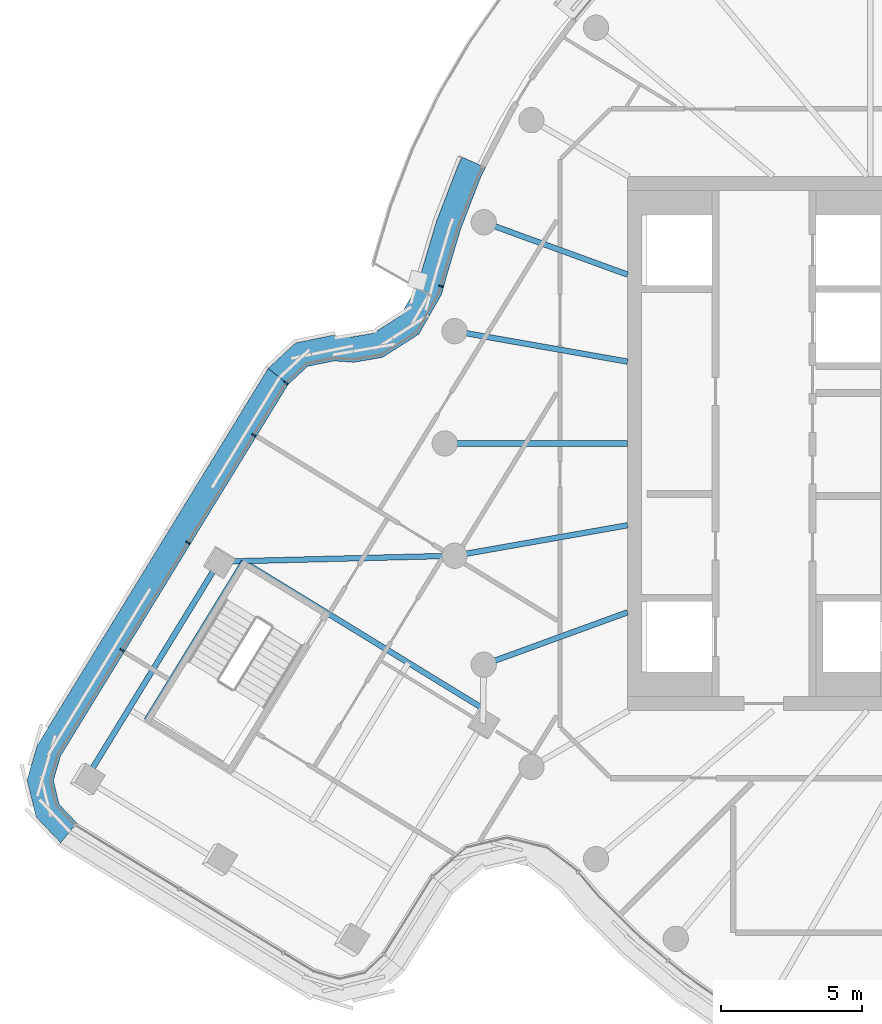
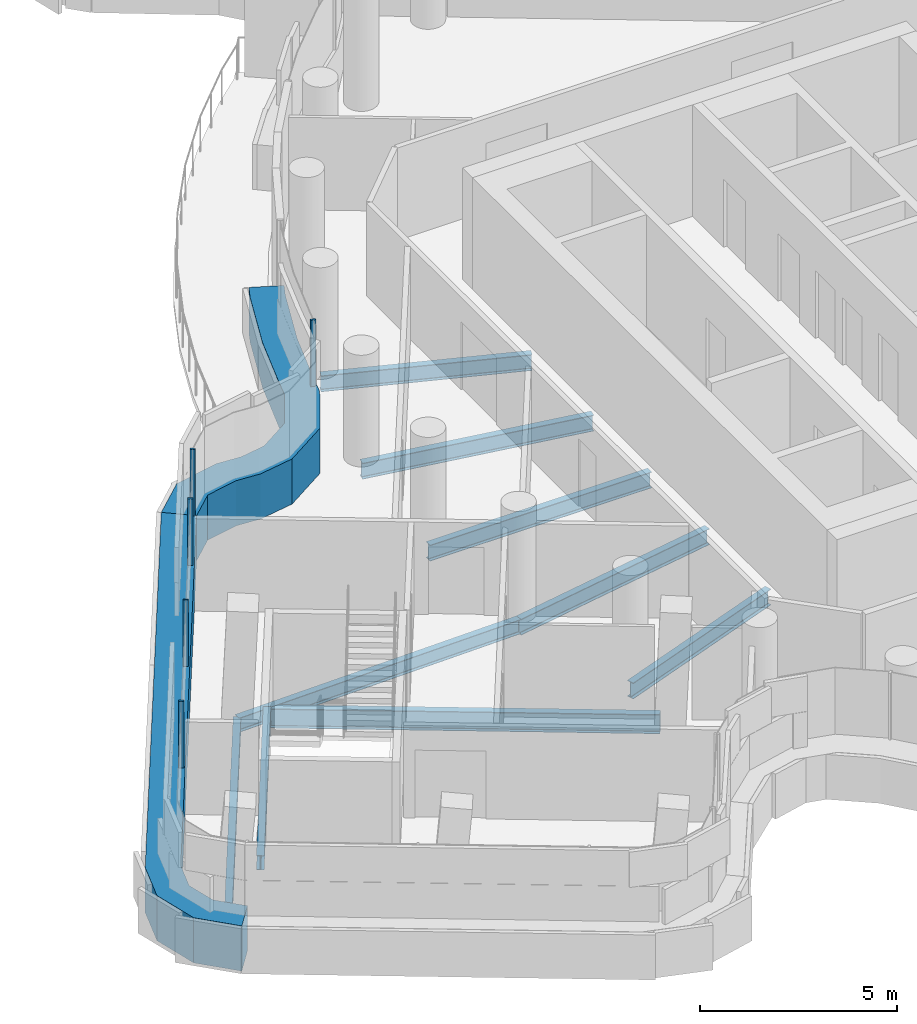
# One storey, part 4 of 27: 9 beams, 7 members, 2 elements without a shape of their own.
"""IFC4 building model written with IfcOpenShell, lengths in metres."""

from ifc_helpers import new_model, si_unit, direction, frame, origin, origin_2d, place, context, subcontext, project, spatial, polyline, rectangle, i_section, outline, extrude, material, layer, layer_set, material_profile, profile_set, type_object, element, aggregate, save


model = new_model("IFC4")

# Units and contexts
model_context = context("Model", 3, precision=1e-05, world=origin(), true_north=direction((0.0, 1.0)))
body_context = subcontext(model_context, "Body", "Model", "MODEL_VIEW")
ifc_project = project(units=[si_unit("LENGTHUNIT", "METRE"), si_unit("AREAUNIT", "SQUARE_METRE"), si_unit("VOLUMEUNIT", "CUBIC_METRE"), si_unit("PLANEANGLEUNIT", "RADIAN"), si_unit("MASSUNIT", "GRAM", prefix="KILO")], contexts=[model_context])

# Site, building, storey
site_placement = place(None, origin())
site = spatial("IfcSite", under=ifc_project, at=site_placement, CompositionType="ELEMENT")
building_placement = place(site_placement, origin())
building = spatial("IfcBuilding", under=site, at=building_placement, Name="Tamarind Cross Interchange Tower", CompositionType="ELEMENT")
storey_placement = place(building_placement, frame((0.0, 0.0, 245.10009765625)))
storey = spatial("IfcBuildingStorey", under=building, at=storey_placement, Name="L62", CompositionType="ELEMENT", Elevation=245.10009765625)

# Beams
ifc_material_1 = material(Name="Steel Q355B", Category="steel")
ifc_material_profile_1 = material_profile(ifc_material_1, i_section(OverallWidth=0.198974609375, OverallDepth=0.446044921875, WebThickness=0.008056640625, FlangeThickness=0.011962890625, FilletRadius=0.012939453125, at=origin_2d()), Name="HN 446x199x8x12")
ifc_profile_set_1 = profile_set([ifc_material_profile_1], Name="Steel Q355B")
beam_type_1 = type_object("IfcBeamType", Name="Composite beam HN 446x199x8x12 Q355B", PredefinedType="BEAM", material=ifc_profile_set_1)
beam_1_placement = place(storey_placement, frame((-35.7705078125, -11.9501953125, -0.363037109375), z_axis=(0.522367293093, 0.852720593809, 0.0), x_axis=(-0.852720593809, 0.522367293093, 0.0)))
element("IfcBeam", 1, at=beam_1_placement, inside=storey, type_object=beam_type_1, Name="Beam W-edgeem4", PredefinedType="BEAM", context=body_context, shape_type="SweptSolid", body=[
    extrude(i_section(OverallWidth=0.198974609375, OverallDepth=0.446044921875, WebThickness=0.008056640625, FlangeThickness=0.011962890625, FilletRadius=0.012939453125, at=origin_2d()), origin(), (0.0, 0.0, 1.0), 9.08349609375),
])
beam_2_placement = place(storey_placement, frame((-31.025634765625, -4.20458984375, -0.363037109375), z_axis=(0.999683702339, 0.025149458813, 0.0), x_axis=(-0.025149458813, 0.999683702339, 0.0)))
element("IfcBeam", 2, at=beam_2_placement, inside=storey, type_object=beam_type_1, Name="Beam W-linkem", PredefinedType="BEAM", context=body_context, shape_type="SweptSolid", body=[
    extrude(i_section(OverallWidth=0.198974609375, OverallDepth=0.446044921875, WebThickness=0.008056640625, FlangeThickness=0.011962890625, FilletRadius=0.012939453125, at=origin_2d()), origin(), (0.0, 0.0, 1.0), 8.377685546875),
])
beam_3_placement = place(storey_placement, frame((-30.151123046875, -4.212646484375, -0.363037109375), z_axis=(-0.522356463097, -0.852727228052, 0.0), x_axis=(0.852727228052, -0.522356463097, 0.0)))
element("IfcBeam", 3, at=beam_3_placement, inside=storey, type_object=beam_type_1, Name="Beam W-tr0", PredefinedType="BEAM", context=body_context, shape_type="SweptSolid", body=[
    extrude(i_section(OverallWidth=0.198974609375, OverallDepth=0.446044921875, WebThickness=0.008056640625, FlangeThickness=0.011962890625, FilletRadius=0.012939453125, at=origin_2d()), origin(), (0.0, 0.0, 1.0), 6.599853515625),
])
ifc_material_profile_2 = material_profile(ifc_material_1, i_section(OverallWidth=0.198974609375, OverallDepth=0.49609375, WebThickness=0.009033203125, FlangeThickness=0.013916015625, FilletRadius=0.012939453125, at=origin_2d()), Name="HN 496x199x9x14")
ifc_profile_set_2 = profile_set([ifc_material_profile_2], Name="Steel Q355B")
beam_type_2 = type_object("IfcBeamType", Name="Composite beam HN 496x199x9x14 Q355B", PredefinedType="BEAM", material=ifc_profile_set_2)
beam_4_placement = place(storey_placement, frame((-21.613037109375, 7.866455078125, -0.38818359375), z_axis=(0.939701685589, -0.341995236956, 0.0), x_axis=(0.341995236956, 0.939701685589, 0.0)))
element("IfcBeam", 4, at=beam_4_placement, inside=storey, type_object=beam_type_2, Name="Beam HH16", PredefinedType="BEAM", context=body_context, shape_type="SweptSolid", body=[
    extrude(i_section(OverallWidth=0.198974609375, OverallDepth=0.49609375, WebThickness=0.009033203125, FlangeThickness=0.013916015625, FilletRadius=0.012939453125, at=origin_2d()), origin(), (0.0, 0.0, 1.0), 5.441162109375),
])
beam_5_placement = place(storey_placement, frame((-22.650634765625, 3.993896484375, -0.38818359375), z_axis=(0.984809127561, -0.173640382036, 0.0), x_axis=(0.173640382036, 0.984809127561, 0.0)))
element("IfcBeam", 5, at=beam_5_placement, inside=storey, type_object=beam_type_2, Name="Beam HH17", PredefinedType="BEAM", context=body_context, shape_type="SweptSolid", body=[
    extrude(i_section(OverallWidth=0.198974609375, OverallDepth=0.49609375, WebThickness=0.009033203125, FlangeThickness=0.013916015625, FilletRadius=0.012939453125, at=origin_2d()), origin(), (0.0, 0.0, 1.0), 6.24560546875),
])
beam_6_placement = place(storey_placement, frame((-23.0, 0.0, -0.38818359375), z_axis=(1.0, 0.0, 0.0), x_axis=(0.0, 1.0, 0.0)))
element("IfcBeam", 6, at=beam_6_placement, inside=storey, type_object=beam_type_2, Name="Beam HH18", PredefinedType="BEAM", context=body_context, shape_type="SweptSolid", body=[
    extrude(i_section(OverallWidth=0.198974609375, OverallDepth=0.49609375, WebThickness=0.009033203125, FlangeThickness=0.013916015625, FilletRadius=0.012939453125, at=origin_2d()), origin(), (0.0, 0.0, 1.0), 6.5),
])
beam_7_placement = place(storey_placement, frame((-22.650634765625, -3.993896484375, -0.38818359375), z_axis=(0.984809127561, 0.173640382036, 0.0), x_axis=(-0.173640382036, 0.984809127561, 0.0)))
element("IfcBeam", 7, at=beam_7_placement, inside=storey, type_object=beam_type_2, Name="Beam HH19", PredefinedType="BEAM", context=body_context, shape_type="SweptSolid", body=[
    extrude(i_section(OverallWidth=0.198974609375, OverallDepth=0.49609375, WebThickness=0.009033203125, FlangeThickness=0.013916015625, FilletRadius=0.012939453125, at=origin_2d()), origin(), (0.0, 0.0, 1.0), 6.24560546875),
])
beam_8_placement = place(storey_placement, frame((-21.613037109375, -7.866455078125, -0.38818359375), z_axis=(0.939701685589, 0.341995236956, 0.0), x_axis=(-0.341995236956, 0.939701685589, 0.0)))
element("IfcBeam", 8, at=beam_8_placement, inside=storey, type_object=beam_type_2, Name="Beam HH20", PredefinedType="BEAM", context=body_context, shape_type="SweptSolid", body=[
    extrude(i_section(OverallWidth=0.198974609375, OverallDepth=0.49609375, WebThickness=0.009033203125, FlangeThickness=0.013916015625, FilletRadius=0.012939453125, at=origin_2d()), origin(), (0.0, 0.0, 1.0), 5.441162109375),
])
ifc_material_profile_3 = material_profile(ifc_material_1, i_section(OverallWidth=0.198974609375, OverallDepth=0.595947265625, WebThickness=0.010009765625, FlangeThickness=0.014892578125, FilletRadius=0.012939453125, at=origin_2d()), Name="HN 596x199x10x15")
ifc_profile_set_3 = profile_set([ifc_material_profile_3], Name="Steel Q355B")
beam_type_3 = type_object("IfcBeamType", Name="Composite beam HN 596x199x10x15 Q355B", PredefinedType="BEAM", material=ifc_profile_set_3)
beam_9_placement = place(storey_placement, frame((-30.1982421875, -4.183837890625, -0.43798828125), z_axis=(0.852725303813, -0.522359604332, 0.0), x_axis=(0.522359604332, 0.852725303813, 0.0)))
element("IfcBeam", 9, at=beam_9_placement, inside=storey, type_object=beam_type_3, Name="Beam W-x298", PredefinedType="BEAM", context=body_context, shape_type="SweptSolid", body=[
    extrude(i_section(OverallWidth=0.198974609375, OverallDepth=0.595947265625, WebThickness=0.010009765625, FlangeThickness=0.014892578125, FilletRadius=0.012939453125, at=origin_2d()), origin(), (0.0, 0.0, 1.0), 10.039306640625),
])

# Curtain wall, member
ifc_material_2 = material(Name="Aluminium 6063-T6", Category="aluminium")
ifc_layer = layer(ifc_material_2, 0.139892578125)
ifc_layer_set = layer_set([ifc_layer], Name="Aluminium 6063-T6")
curtain_wall_type = type_object("IfcCurtainWallType", Name="Hotel curtain wall, 4.5 m bays", PredefinedType="NOTDEFINED", material=ifc_layer_set)
curtain_wall_1_placement = place(storey_placement, origin())
curtain_wall_1 = element("IfcCurtainWall", 10, at=curtain_wall_1_placement, inside=storey, type_object=curtain_wall_type, Name="CWS-L62-02", PredefinedType="NOTDEFINED")
ifc_material_3 = material(Name="Aluminium and insulated spandrel panel", Category="aluminium")
member_type_1 = type_object("IfcMemberType", Name="Floor-edge blade transom", PredefinedType="USERDEFINED", material=ifc_material_3)
member_1_placement = place(storey_placement, origin())
member_1 = element("IfcMember", 11, at=member_1_placement, type_object=member_type_1, Name="CWT-L62-02-1", ObjectType="TRANSOM", PredefinedType="USERDEFINED", context=body_context, shape_type="SweptSolid", body=[
    extrude(outline(polyline([(-21.5546875, 9.809326171875), (-21.74072265625, 9.425048828125), (-22.44482421875, 7.596923828125), (-22.94775390625, 5.908203125), (-23.115234375, 5.2998046875), (-23.924072265625, 3.883056640625), (-25.217529296875, 3.058837890625), (-26.24072265625, 2.88525390625), (-26.9404296875, 2.935302734375), (-27.87451171875, 2.744140625), (-28.573486328125, 2.095458984375), (-29.2763671875, 2.6708984375), (-28.302001953125, 3.5751953125), (-26.999755859375, 3.841796875), (-26.28466796875, 3.790771484375), (-25.547607421875, 3.915771484375), (-24.59521484375, 4.522705078125), (-23.952880859375, 5.647705078125), (-23.81298828125, 6.156005859375), (-23.29736328125, 7.887451171875), (-22.567138671875, 9.783203125), (-22.374267578125, 10.182373046875), (-21.5546875, 9.809326171875)])), origin(), (0.0, 0.0, 1.0), 1.39990234375),
])

curtain_wall_2_placement = place(storey_placement, origin())
curtain_wall_2 = element("IfcCurtainWall", 12, at=curtain_wall_2_placement, inside=storey, type_object=curtain_wall_type, Name="CWS-L62-03", PredefinedType="NOTDEFINED")
member_2_placement = place(storey_placement, origin())
member_2 = element("IfcMember", 13, at=member_2_placement, type_object=member_type_1, Name="CWT-L62-03", ObjectType="TRANSOM", PredefinedType="USERDEFINED", context=body_context, shape_type="SweptSolid", body=[
    extrude(outline(polyline([(-28.573486328125, 2.095458984375), (-36.660888671875, -11.106201171875), (-36.920654296875, -11.984130859375), (-36.71630859375, -12.83447265625), (-36.086181640625, -13.498291015625), (-36.6572265625, -14.203857421875), (-37.53515625, -13.279052734375), (-37.85205078125, -11.959716796875), (-37.490234375, -10.7373046875), (-29.2763671875, 2.6708984375), (-28.573486328125, 2.095458984375)])), origin(), (0.0, 0.0, 1.0), 1.39990234375),
])

# Member
ifc_material_profile_4 = material_profile(ifc_material_2, rectangle(XDim=0.06005859375, YDim=0.139892578125, at=origin_2d()), Name="Mullion CW2")
ifc_profile_set_4 = profile_set([ifc_material_profile_4], Name="Aluminium 6063-T6")
member_type_2 = type_object("IfcMemberType", Name="Mullion CW2", PredefinedType="MULLION", material=ifc_profile_set_4)
member_3_placement = place(storey_placement, frame((-23.13818359375, 5.593017578125, 1.39990234375), z_axis=(0.0, 0.0, 1.0), x_axis=(-0.265389348296, -0.964141324605, 0.0)))
member_3 = element("IfcMember", 14, at=member_3_placement, type_object=member_type_2, Name="CWM-L62-02-04", PredefinedType="MULLION", context=body_context, shape_type="SweptSolid", body=[
    extrude(rectangle(XDim=0.06005859375, YDim=0.139892578125, at=origin_2d()), origin(), (0.0, 0.0, 1.0), 2.06005859375),
])

aggregate(curtain_wall_1, [member_3, member_1])

member_4_placement = place(storey_placement, frame((-28.651611328125, 2.159423828125, 1.39990234375), z_axis=(0.0, 0.0, 1.0), x_axis=(-0.633578928896, -0.773678060216, 0.0)))
member_4 = element("IfcMember", 15, at=member_4_placement, type_object=member_type_2, Name="CWM-L62-03-00", PredefinedType="MULLION", context=body_context, shape_type="SweptSolid", body=[
    extrude(rectangle(XDim=0.06005859375, YDim=0.139892578125, at=origin_2d()), origin(), (0.0, 0.0, 1.0), 2.06005859375),
])

member_5_placement = place(storey_placement, frame((-29.7939453125, 0.294677734375, 1.39990234375), z_axis=(0.0, 0.0, 1.0), x_axis=(-0.522367602426, -0.852720404316, 0.0)))
member_5 = element("IfcMember", 16, at=member_5_placement, type_object=member_type_2, Name="CWM-L62-03-01", PredefinedType="MULLION", context=body_context, shape_type="SweptSolid", body=[
    extrude(rectangle(XDim=0.06005859375, YDim=0.139892578125, at=origin_2d()), origin(), (0.0, 0.0, 1.0), 2.06005859375),
])

member_6_placement = place(storey_placement, frame((-32.136474609375, -3.529052734375, 1.39990234375), z_axis=(0.0, 0.0, 1.0), x_axis=(-0.522367602426, -0.852720404316, 0.0)))
member_6 = element("IfcMember", 17, at=member_6_placement, type_object=member_type_2, Name="CWM-L62-03-02", PredefinedType="MULLION", context=body_context, shape_type="SweptSolid", body=[
    extrude(rectangle(XDim=0.06005859375, YDim=0.139892578125, at=origin_2d()), origin(), (0.0, 0.0, 1.0), 2.06005859375),
])

member_7_placement = place(storey_placement, frame((-34.47900390625, -7.35302734375, 1.39990234375), z_axis=(0.0, 0.0, 1.0), x_axis=(-0.522367602426, -0.852720404316, 0.0)))
member_7 = element("IfcMember", 18, at=member_7_placement, type_object=member_type_2, Name="CWM-L62-03-03", PredefinedType="MULLION", context=body_context, shape_type="SweptSolid", body=[
    extrude(rectangle(XDim=0.06005859375, YDim=0.139892578125, at=origin_2d()), origin(), (0.0, 0.0, 1.0), 2.06005859375),
])

aggregate(curtain_wall_2, [member_4, member_5, member_6, member_7, member_2])

save(model, "model.ifc")
